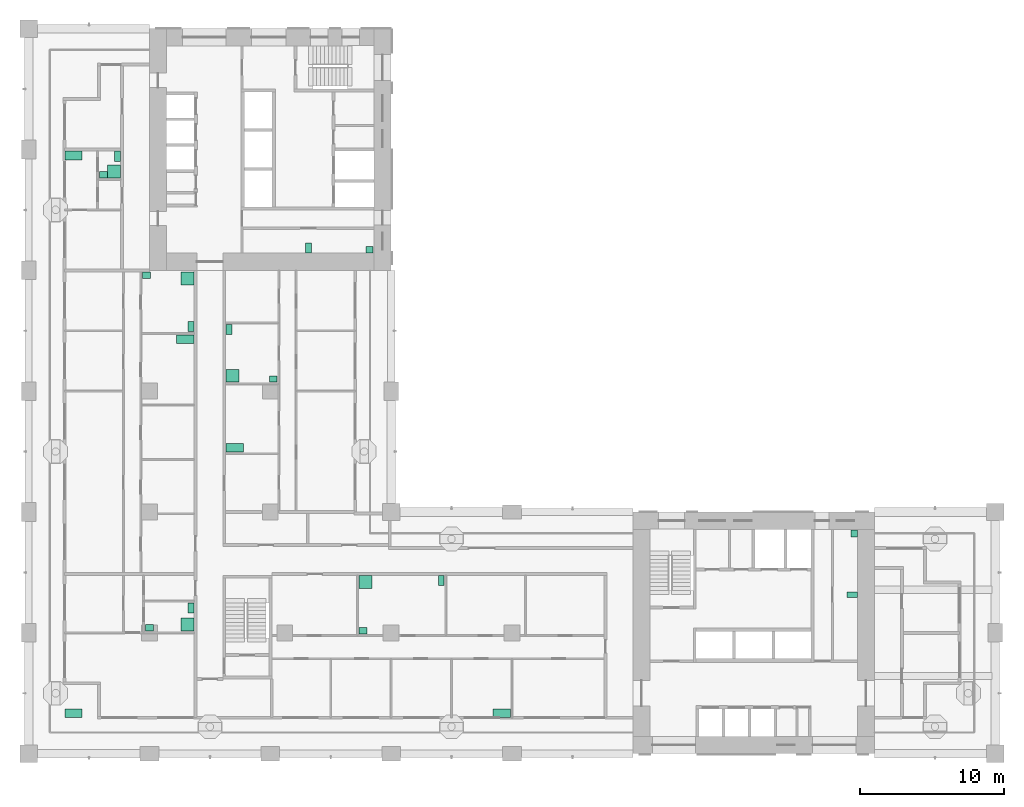
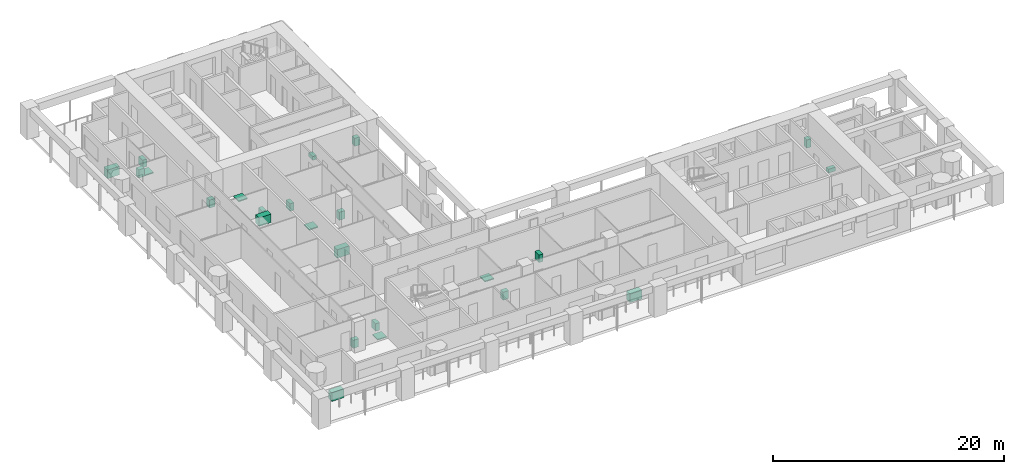
# One storey, part 16 of 18: 24 sanitary terminals.
"""IFC4 building model written with IfcOpenShell, lengths in metres."""

from ifc_helpers import new_model, si_unit, direction, frame, origin, origin_2d, place, context, subcontext, project, spatial, rectangle, extrude, material, element, save


model = new_model("IFC4")

# Units and contexts
model_context = context("Model", 3, precision=1e-05, world=origin(), true_north=direction((0.0, 1.0)))
body_context = subcontext(model_context, "Body", "Model", "MODEL_VIEW")
ifc_project = project(units=[si_unit("LENGTHUNIT", "METRE"), si_unit("AREAUNIT", "SQUARE_METRE"), si_unit("VOLUMEUNIT", "CUBIC_METRE"), si_unit("PLANEANGLEUNIT", "RADIAN"), si_unit("MASSUNIT", "GRAM", prefix="KILO")], contexts=[model_context])

# Site, building, storey
site_placement = place(None, origin())
site = spatial("IfcSite", under=ifc_project, at=site_placement, CompositionType="ELEMENT")
building_placement = place(site_placement, origin())
building = spatial("IfcBuilding", under=site, at=building_placement, Name="Vermilion Gate Residences", CompositionType="ELEMENT")
storey_placement = place(building_placement, frame((0.0, 0.0, 102.199951171875)))
storey = spatial("IfcBuildingStorey", under=building, at=storey_placement, Name="L25", CompositionType="ELEMENT", Elevation=102.199951171875)

# Sanitary terminals
ifc_material_1 = material(Name="Vitreous china")
sanitary_terminal_1_placement = place(storey_placement, frame((57.25, 19.449951171875, 0.0), z_axis=(0.0, 0.0, 1.0), x_axis=(1.0, 0.0, 0.0)))
element("IfcSanitaryTerminal", 1, at=sanitary_terminal_1_placement, inside=storey, material=ifc_material_1, Name="Toilet pan A25", PredefinedType="TOILETPAN", context=body_context, shape_type="SweptSolid", body=[
    extrude(rectangle(XDim=0.699951171875, YDim=0.39990234375, at=origin_2d()), origin(), (0.0, 0.0, 1.0), 0.39990234375),
])
sanitary_terminal_2_placement = place(storey_placement, frame((57.375, 23.699951171875, 0.0), z_axis=(0.0, 0.0, 1.0), x_axis=(1.0, 0.0, 0.0)))
element("IfcSanitaryTerminal", 2, at=sanitary_terminal_2_placement, inside=storey, material=ifc_material_1, Name="Washbasin A25", PredefinedType="WASHHANDBASIN", context=body_context, shape_type="SweptSolid", body=[
    extrude(rectangle(XDim=0.449951171875, YDim=0.5, at=origin_2d()), origin(), (0.0, 0.0, 1.0), 0.85009765625),
])
sanitary_terminal_3_placement = place(storey_placement, frame((19.449951171875, 43.550048828125, 0.0), z_axis=(0.0, 0.0, 1.0), x_axis=(1.0, 0.0, 0.0)))
element("IfcSanitaryTerminal", 3, at=sanitary_terminal_3_placement, inside=storey, material=ifc_material_1, Name="Toilet pan B25", PredefinedType="TOILETPAN", context=body_context, shape_type="SweptSolid", body=[
    extrude(rectangle(XDim=0.39990234375, YDim=0.699951171875, at=origin_2d()), origin(), (0.0, 0.0, 1.0), 0.39990234375),
])
sanitary_terminal_4_placement = place(storey_placement, frame((23.699951171875, 43.425048828125, 0.0), z_axis=(0.0, 0.0, 1.0), x_axis=(1.0, 0.0, 0.0)))
element("IfcSanitaryTerminal", 4, at=sanitary_terminal_4_placement, inside=storey, material=ifc_material_1, Name="Washbasin B25", PredefinedType="WASHHANDBASIN", context=body_context, shape_type="SweptSolid", body=[
    extrude(rectangle(XDim=0.5, YDim=0.449951171875, at=origin_2d()), origin(), (0.0, 0.0, 1.0), 0.85009765625),
])
ifc_material_2 = material(Name="Stainless steel", Category="steel")
sanitary_terminal_5_placement = place(storey_placement, frame((3.1201171875, 11.219970703125, 0.0), z_axis=(0.0, 0.0, 1.0), x_axis=(1.0, 0.0, 0.0)))
element("IfcSanitaryTerminal", 5, at=sanitary_terminal_5_placement, inside=storey, material=ifc_material_2, Name="Kitchen sink", PredefinedType="SINK", context=body_context, shape_type="SweptSolid", body=[
    extrude(rectangle(XDim=1.199951171875, YDim=0.60009765625, at=origin_2d()), origin(), (0.0, 0.0, 1.0), 0.89990234375),
])
sanitary_terminal_6_placement = place(storey_placement, frame((11.030029296875, 17.3701171875, 0.0), z_axis=(0.0, 0.0, 1.0), x_axis=(1.0, 0.0, 0.0)))
element("IfcSanitaryTerminal", 6, at=sanitary_terminal_6_placement, inside=storey, material=ifc_material_1, Name="Shower tray", PredefinedType="SHOWER", context=body_context, shape_type="SweptSolid", body=[
    extrude(rectangle(XDim=0.89990234375, YDim=0.89990234375, at=origin_2d()), origin(), (0.0, 0.0, 1.0), 0.10009765625),
])
sanitary_terminal_7_placement = place(storey_placement, frame((11.280029296875, 18.530029296875, 0.0), z_axis=(0.0, 0.0, 1.0), x_axis=(1.0, 0.0, 0.0)))
element("IfcSanitaryTerminal", 7, at=sanitary_terminal_7_placement, inside=storey, material=ifc_material_1, Name="Toilet", PredefinedType="TOILETPAN", context=body_context, shape_type="SweptSolid", body=[
    extrude(rectangle(XDim=0.39990234375, YDim=0.699951171875, at=origin_2d()), origin(), (0.0, 0.0, 1.0), 0.800048828125),
])
sanitary_terminal_8_placement = place(storey_placement, frame((8.39501953125, 17.14501953125, 0.0), z_axis=(0.0, 0.0, 1.0), x_axis=(1.0, 0.0, 0.0)))
element("IfcSanitaryTerminal", 8, at=sanitary_terminal_8_placement, inside=storey, material=ifc_material_1, Name="Wash basin", PredefinedType="WASHHANDBASIN", context=body_context, shape_type="SweptSolid", body=[
    extrude(rectangle(XDim=0.550048828125, YDim=0.449951171875, at=origin_2d()), origin(), (0.0, 0.0, 1.0), 0.85009765625),
])
sanitary_terminal_9_placement = place(storey_placement, frame((32.8798828125, 11.219970703125, 0.0), z_axis=(0.0, 0.0, 1.0), x_axis=(1.0, 0.0, 0.0)))
element("IfcSanitaryTerminal", 9, at=sanitary_terminal_9_placement, inside=storey, material=ifc_material_2, Name="Kitchen sink", PredefinedType="SINK", context=body_context, shape_type="SweptSolid", body=[
    extrude(rectangle(XDim=1.199951171875, YDim=0.60009765625, at=origin_2d()), origin(), (0.0, 0.0, 1.0), 0.89990234375),
])
sanitary_terminal_10_placement = place(storey_placement, frame((23.419921875, 20.330078125, 0.0), z_axis=(0.0, 0.0, 1.0), x_axis=(1.0, 0.0, 0.0)))
element("IfcSanitaryTerminal", 10, at=sanitary_terminal_10_placement, inside=storey, material=ifc_material_1, Name="Shower tray", PredefinedType="SHOWER", context=body_context, shape_type="SweptSolid", body=[
    extrude(rectangle(XDim=0.89990234375, YDim=0.89990234375, at=origin_2d()), origin(), (0.0, 0.0, 1.0), 0.10009765625),
])
sanitary_terminal_11_placement = place(storey_placement, frame((28.679931640625, 20.429931640625, 0.0), z_axis=(0.0, 0.0, 1.0), x_axis=(1.0, 0.0, 0.0)))
element("IfcSanitaryTerminal", 11, at=sanitary_terminal_11_placement, inside=storey, material=ifc_material_1, Name="Toilet", PredefinedType="TOILETPAN", context=body_context, shape_type="SweptSolid", body=[
    extrude(rectangle(XDim=0.39990234375, YDim=0.699951171875, at=origin_2d()), origin(), (0.0, 0.0, 1.0), 0.800048828125),
])
sanitary_terminal_12_placement = place(storey_placement, frame((23.2451171875, 16.945068359375, 0.0), z_axis=(0.0, 0.0, 1.0), x_axis=(1.0, 0.0, 0.0)))
element("IfcSanitaryTerminal", 12, at=sanitary_terminal_12_placement, inside=storey, material=ifc_material_1, Name="Wash basin", PredefinedType="WASHHANDBASIN", context=body_context, shape_type="SweptSolid", body=[
    extrude(rectangle(XDim=0.550048828125, YDim=0.449951171875, at=origin_2d()), origin(), (0.0, 0.0, 1.0), 0.85009765625),
])
sanitary_terminal_13_placement = place(storey_placement, frame((10.8798828125, 37.199951171875, 0.0), z_axis=(0.0, 0.0, 1.0), x_axis=(1.0, 0.0, 0.0)))
element("IfcSanitaryTerminal", 13, at=sanitary_terminal_13_placement, inside=storey, material=ifc_material_2, Name="Kitchen sink", PredefinedType="SINK", context=body_context, shape_type="SweptSolid", body=[
    extrude(rectangle(XDim=1.199951171875, YDim=0.60009765625, at=origin_2d()), origin(), (0.0, 0.0, 1.0), 0.89990234375),
])
sanitary_terminal_14_placement = place(storey_placement, frame((11.030029296875, 41.429931640625, 0.0), z_axis=(0.0, 0.0, 1.0), x_axis=(1.0, 0.0, 0.0)))
element("IfcSanitaryTerminal", 14, at=sanitary_terminal_14_placement, inside=storey, material=ifc_material_1, Name="Shower tray", PredefinedType="SHOWER", context=body_context, shape_type="SweptSolid", body=[
    extrude(rectangle(XDim=0.89990234375, YDim=0.89990234375, at=origin_2d()), origin(), (0.0, 0.0, 1.0), 0.10009765625),
])
sanitary_terminal_15_placement = place(storey_placement, frame((11.280029296875, 38.090087890625, 0.0), z_axis=(0.0, 0.0, 1.0), x_axis=(1.0, 0.0, 0.0)))
element("IfcSanitaryTerminal", 15, at=sanitary_terminal_15_placement, inside=storey, material=ifc_material_1, Name="Toilet", PredefinedType="TOILETPAN", context=body_context, shape_type="SweptSolid", body=[
    extrude(rectangle(XDim=0.39990234375, YDim=0.699951171875, at=origin_2d()), origin(), (0.0, 0.0, 1.0), 0.800048828125),
])
sanitary_terminal_16_placement = place(storey_placement, frame((8.195068359375, 41.655029296875, 0.0), z_axis=(0.0, 0.0, 1.0), x_axis=(1.0, 0.0, 0.0)))
element("IfcSanitaryTerminal", 16, at=sanitary_terminal_16_placement, inside=storey, material=ifc_material_1, Name="Wash basin", PredefinedType="WASHHANDBASIN", context=body_context, shape_type="SweptSolid", body=[
    extrude(rectangle(XDim=0.550048828125, YDim=0.449951171875, at=origin_2d()), origin(), (0.0, 0.0, 1.0), 0.85009765625),
])
sanitary_terminal_17_placement = place(storey_placement, frame((14.320068359375, 29.669921875, 0.0), z_axis=(0.0, 0.0, 1.0), x_axis=(1.0, 0.0, 0.0)))
element("IfcSanitaryTerminal", 17, at=sanitary_terminal_17_placement, inside=storey, material=ifc_material_2, Name="Kitchen sink", PredefinedType="SINK", context=body_context, shape_type="SweptSolid", body=[
    extrude(rectangle(XDim=1.199951171875, YDim=0.60009765625, at=origin_2d()), origin(), (0.0, 0.0, 1.0), 0.89990234375),
])
sanitary_terminal_18_placement = place(storey_placement, frame((14.169921875, 34.669921875, 0.0), z_axis=(0.0, 0.0, 1.0), x_axis=(1.0, 0.0, 0.0)))
element("IfcSanitaryTerminal", 18, at=sanitary_terminal_18_placement, inside=storey, material=ifc_material_1, Name="Shower tray", PredefinedType="SHOWER", context=body_context, shape_type="SweptSolid", body=[
    extrude(rectangle(XDim=0.89990234375, YDim=0.89990234375, at=origin_2d()), origin(), (0.0, 0.0, 1.0), 0.10009765625),
])
sanitary_terminal_19_placement = place(storey_placement, frame((13.919921875, 37.8798828125, 0.0), z_axis=(0.0, 0.0, 1.0), x_axis=(1.0, 0.0, 0.0)))
element("IfcSanitaryTerminal", 19, at=sanitary_terminal_19_placement, inside=storey, material=ifc_material_1, Name="Toilet", PredefinedType="TOILETPAN", context=body_context, shape_type="SweptSolid", body=[
    extrude(rectangle(XDim=0.39990234375, YDim=0.699951171875, at=origin_2d()), origin(), (0.0, 0.0, 1.0), 0.800048828125),
])
sanitary_terminal_20_placement = place(storey_placement, frame((17.0048828125, 34.445068359375, 0.0), z_axis=(0.0, 0.0, 1.0), x_axis=(1.0, 0.0, 0.0)))
element("IfcSanitaryTerminal", 20, at=sanitary_terminal_20_placement, inside=storey, material=ifc_material_1, Name="Wash basin", PredefinedType="WASHHANDBASIN", context=body_context, shape_type="SweptSolid", body=[
    extrude(rectangle(XDim=0.550048828125, YDim=0.449951171875, at=origin_2d()), origin(), (0.0, 0.0, 1.0), 0.85009765625),
])
sanitary_terminal_21_placement = place(storey_placement, frame((3.1201171875, 49.97998046875, 0.0), z_axis=(0.0, 0.0, 1.0), x_axis=(1.0, 0.0, 0.0)))
element("IfcSanitaryTerminal", 21, at=sanitary_terminal_21_placement, inside=storey, material=ifc_material_2, Name="Kitchen sink", PredefinedType="SINK", context=body_context, shape_type="SweptSolid", body=[
    extrude(rectangle(XDim=1.199951171875, YDim=0.60009765625, at=origin_2d()), origin(), (0.0, 0.0, 1.0), 0.89990234375),
])
sanitary_terminal_22_placement = place(storey_placement, frame((5.929931640625, 48.8701171875, 0.0), z_axis=(0.0, 0.0, 1.0), x_axis=(1.0, 0.0, 0.0)))
element("IfcSanitaryTerminal", 22, at=sanitary_terminal_22_placement, inside=storey, material=ifc_material_1, Name="Shower tray", PredefinedType="SHOWER", context=body_context, shape_type="SweptSolid", body=[
    extrude(rectangle(XDim=0.89990234375, YDim=0.89990234375, at=origin_2d()), origin(), (0.0, 0.0, 1.0), 0.10009765625),
])
sanitary_terminal_23_placement = place(storey_placement, frame((6.179931640625, 49.929931640625, 0.0), z_axis=(0.0, 0.0, 1.0), x_axis=(1.0, 0.0, 0.0)))
element("IfcSanitaryTerminal", 23, at=sanitary_terminal_23_placement, inside=storey, material=ifc_material_1, Name="Toilet", PredefinedType="TOILETPAN", context=body_context, shape_type="SweptSolid", body=[
    extrude(rectangle(XDim=0.39990234375, YDim=0.699951171875, at=origin_2d()), origin(), (0.0, 0.0, 1.0), 0.800048828125),
])
sanitary_terminal_24_placement = place(storey_placement, frame((5.195068359375, 48.64501953125, 0.0), z_axis=(0.0, 0.0, 1.0), x_axis=(1.0, 0.0, 0.0)))
element("IfcSanitaryTerminal", 24, at=sanitary_terminal_24_placement, inside=storey, material=ifc_material_1, Name="Wash basin", PredefinedType="WASHHANDBASIN", context=body_context, shape_type="SweptSolid", body=[
    extrude(rectangle(XDim=0.550048828125, YDim=0.449951171875, at=origin_2d()), origin(), (0.0, 0.0, 1.0), 0.85009765625),
])

save(model, "model.ifc")
